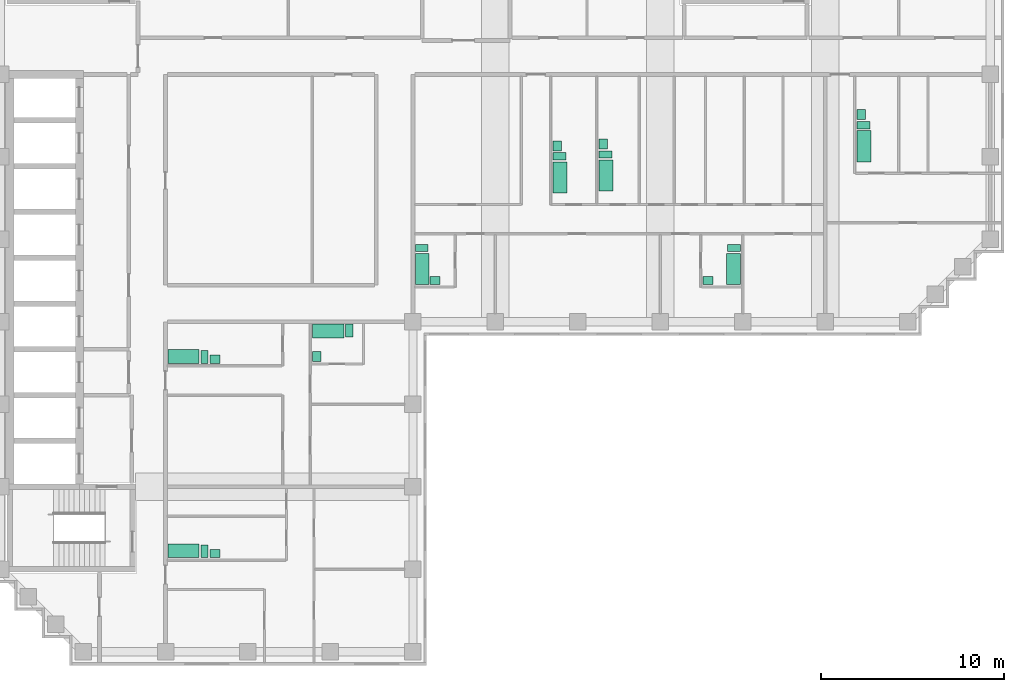
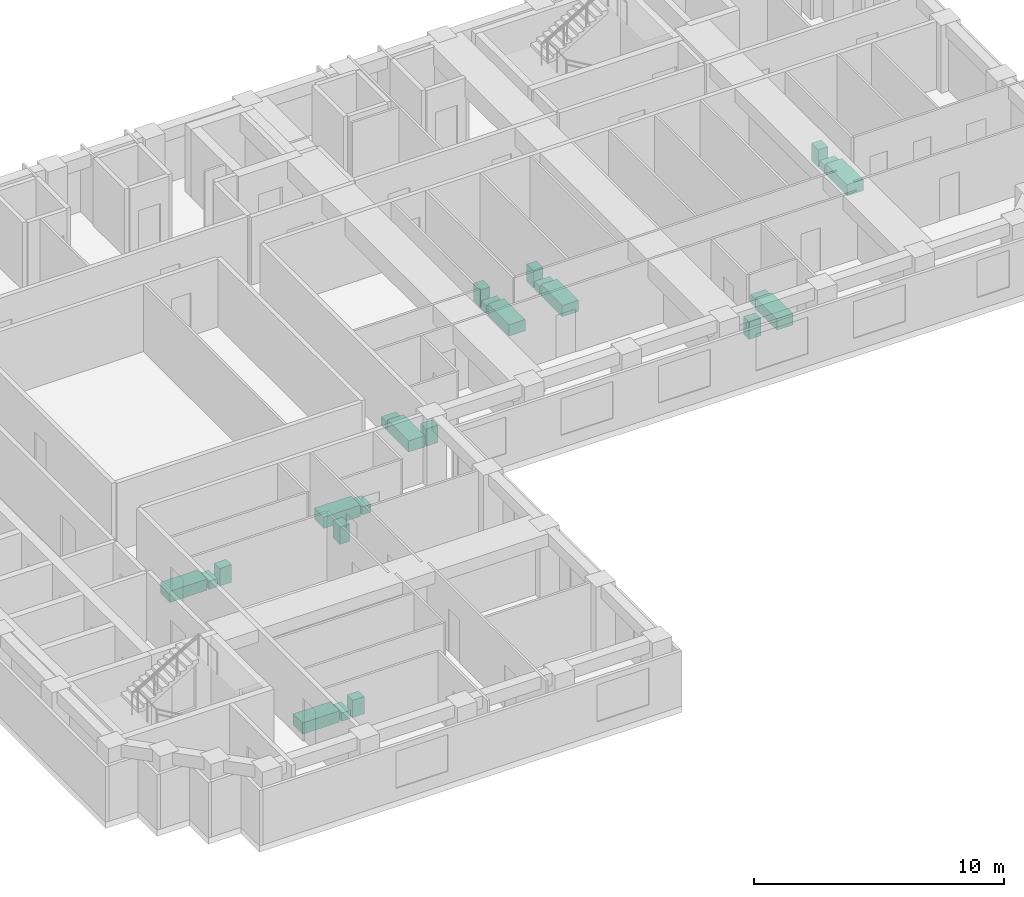
# One storey, part 9 of 9: 24 sanitary terminals.
"""IFC4 building model written with IfcOpenShell, lengths in metres."""

from ifc_helpers import new_model, si_unit, direction, frame, origin, origin_2d, place, context, subcontext, project, spatial, rectangle, extrude, material, type_object, element, save


model = new_model("IFC4")

# Units and contexts
model_context = context("Model", 3, precision=1e-05, world=origin(), true_north=direction((0.0, 1.0)))
body_context = subcontext(model_context, "Body", "Model", "MODEL_VIEW")
ifc_project = project(units=[si_unit("LENGTHUNIT", "METRE"), si_unit("AREAUNIT", "SQUARE_METRE"), si_unit("VOLUMEUNIT", "CUBIC_METRE"), si_unit("PLANEANGLEUNIT", "RADIAN"), si_unit("MASSUNIT", "GRAM", prefix="KILO")], contexts=[model_context])

# Site, building, storey
site_placement = place(None, origin())
site = spatial("IfcSite", under=ifc_project, at=site_placement, CompositionType="ELEMENT")
building_placement = place(site_placement, origin())
building = spatial("IfcBuilding", under=site, at=building_placement, Name="Firuza Court", CompositionType="ELEMENT")
storey_placement = place(building_placement, frame((0.0, 0.0, 225.800048828125)))
storey = spatial("IfcBuildingStorey", under=building, at=storey_placement, Name="L58", CompositionType="ELEMENT", Elevation=225.800048828125)

# Sanitary terminals
ifc_material_1 = material(Name="Vitreous china", Category="ceramic")
sanitary_terminal_type_1 = type_object("IfcSanitaryTerminalType", Name="Fixture Bath", PredefinedType="BATH", material=ifc_material_1)
for number, where, z_axis, x_axis, name in (
    (1, (30.5205078125, 43.8798828125, 0.0), (0.0, 0.0, 1.0), (1.0, 0.0, 0.0), "Bath"),
    (2, (33.03271484375, 43.97998046875, 0.0), (0.0, 0.0, 1.0), (1.0, 0.0, 0.0), "Bath"),
    (3, (23.0048828125, 38.8798828125, 0.0), (0.0, 0.0, 1.0), (1.0, 0.0, 0.0), "Bath"),
    (4, (39.9951171875, 38.8798828125, 0.0), (0.0, 0.0, 1.0), (1.0, 0.0, 0.0), "Bath"),
    (5, (47.10498046875, 45.580078125, 0.0), (0.0, 0.0, 1.0), (1.0, 0.0, 0.0), "Bath"),
):
    element("IfcSanitaryTerminal", number, at=place(storey_placement, frame(where, z_axis=z_axis, x_axis=x_axis)), inside=storey, type_object=sanitary_terminal_type_1, Name=name, PredefinedType="BATH", context=body_context, shape_type="SweptSolid", body=[
        extrude(rectangle(XDim=0.75, YDim=1.699951171875, at=origin_2d()), origin(), (0.0, 0.0, 1.0), 0.550048828125),
    ])
for number, where, z_axis, x_axis, name in (
    (6, (9.97998046875, 34.10498046875, 0.0), (0.0, 0.0, 1.0), (1.0, 0.0, 0.0), "Bath"),
    (7, (17.8798828125, 35.4951171875, 0.0), (0.0, 0.0, 1.0), (1.0, 0.0, 0.0), "Bath"),
    (8, (9.97998046875, 23.5048828125, 0.0), (0.0, 0.0, 1.0), (1.0, 0.0, 0.0), "Bath"),
):
    element("IfcSanitaryTerminal", number, at=place(storey_placement, frame(where, z_axis=z_axis, x_axis=x_axis)), inside=storey, type_object=sanitary_terminal_type_1, Name=name, PredefinedType="BATH", context=body_context, shape_type="SweptSolid", body=[
        extrude(rectangle(XDim=1.699951171875, YDim=0.75, at=origin_2d()), origin(), (0.0, 0.0, 1.0), 0.550048828125),
    ])
ifc_material_2 = material(Name="Vitreous china", Category="ceramic")
sanitary_terminal_type_2 = type_object("IfcSanitaryTerminalType", Name="Fixture WC pan", PredefinedType="TOILETPAN", material=ifc_material_2)
for number, where, z_axis, x_axis, name in (
    (9, (30.49560546875, 45.030029296875, 0.0), (0.0, 0.0, 1.0), (1.0, 0.0, 0.0), "WC pan"),
    (10, (33.007568359375, 45.1298828125, 0.0), (0.0, 0.0, 1.0), (1.0, 0.0, 0.0), "WC pan"),
    (11, (22.97998046875, 40.030029296875, 0.0), (0.0, 0.0, 1.0), (1.0, 0.0, 0.0), "WC pan"),
    (12, (40.02001953125, 40.030029296875, 0.0), (0.0, 0.0, 1.0), (1.0, 0.0, 0.0), "WC pan"),
    (13, (47.080078125, 46.72998046875, 0.0), (0.0, 0.0, 1.0), (1.0, 0.0, 0.0), "WC pan"),
):
    element("IfcSanitaryTerminal", number, at=place(storey_placement, frame(where, z_axis=z_axis, x_axis=x_axis)), inside=storey, type_object=sanitary_terminal_type_2, Name=name, PredefinedType="TOILETPAN", context=body_context, shape_type="SweptSolid", body=[
        extrude(rectangle(XDim=0.699951171875, YDim=0.39990234375, at=origin_2d()), origin(), (0.0, 0.0, 1.0), 0.39990234375),
    ])
for number, where, z_axis, x_axis, name in (
    (14, (11.1298828125, 34.080078125, 0.0), (0.0, 0.0, 1.0), (1.0, 0.0, 0.0), "WC pan"),
    (15, (19.030029296875, 35.52001953125, 0.0), (0.0, 0.0, 1.0), (1.0, 0.0, 0.0), "WC pan"),
    (16, (11.1298828125, 23.47998046875, 0.0), (0.0, 0.0, 1.0), (1.0, 0.0, 0.0), "WC pan"),
):
    element("IfcSanitaryTerminal", number, at=place(storey_placement, frame(where, z_axis=z_axis, x_axis=x_axis)), inside=storey, type_object=sanitary_terminal_type_2, Name=name, PredefinedType="TOILETPAN", context=body_context, shape_type="SweptSolid", body=[
        extrude(rectangle(XDim=0.39990234375, YDim=0.699951171875, at=origin_2d()), origin(), (0.0, 0.0, 1.0), 0.39990234375),
    ])
ifc_material_3 = material(Name="Vitreous china", Category="ceramic")
sanitary_terminal_type_3 = type_object("IfcSanitaryTerminalType", Name="Fixture Washbasin", PredefinedType="WASHHANDBASIN", material=ifc_material_3)
for number, where, z_axis, x_axis, name in (
    (17, (30.37060546875, 45.60498046875, 0.0), (0.0, 0.0, 1.0), (1.0, 0.0, 0.0), "Washbasin"),
    (18, (32.882568359375, 45.705078125, 0.0), (0.0, 0.0, 1.0), (1.0, 0.0, 0.0), "Washbasin"),
):
    element("IfcSanitaryTerminal", number, at=place(storey_placement, frame(where, z_axis=z_axis, x_axis=x_axis)), inside=storey, type_object=sanitary_terminal_type_3, Name=name, PredefinedType="WASHHANDBASIN", context=body_context, shape_type="SweptSolid", body=[
        extrude(rectangle(XDim=0.449951171875, YDim=0.550048828125, at=origin_2d()), origin(), (0.0, 0.0, 1.0), 0.85009765625),
    ])
for number, where, z_axis, x_axis, name in (
    (19, (23.705078125, 38.2548828125, 0.0), (0.0, 0.0, 1.0), (1.0, 0.0, 0.0), "Washbasin"),
    (20, (38.60498046875, 38.2548828125, 0.0), (0.0, 0.0, 1.0), (1.0, 0.0, 0.0), "Washbasin"),
):
    element("IfcSanitaryTerminal", number, at=place(storey_placement, frame(where, z_axis=z_axis, x_axis=x_axis)), inside=storey, type_object=sanitary_terminal_type_3, Name=name, PredefinedType="WASHHANDBASIN", context=body_context, shape_type="SweptSolid", body=[
        extrude(rectangle(XDim=0.550048828125, YDim=0.449951171875, at=origin_2d()), origin(), (0.0, 0.0, 1.0), 0.85009765625),
    ])
sanitary_terminal_1_placement = place(storey_placement, frame((46.955078125, 47.304931640625, 0.0), z_axis=(0.0, 0.0, 1.0), x_axis=(1.0, 0.0, 0.0)))
element("IfcSanitaryTerminal", 21, at=sanitary_terminal_1_placement, inside=storey, type_object=sanitary_terminal_type_3, Name="Washbasin", PredefinedType="WASHHANDBASIN", context=body_context, shape_type="SweptSolid", body=[
    extrude(rectangle(XDim=0.449951171875, YDim=0.550048828125, at=origin_2d()), origin(), (0.0, 0.0, 1.0), 0.85009765625),
])
sanitary_terminal_2_placement = place(storey_placement, frame((11.705078125, 33.955078125, 0.0), z_axis=(0.0, 0.0, 1.0), x_axis=(1.0, 0.0, 0.0)))
element("IfcSanitaryTerminal", 22, at=sanitary_terminal_2_placement, inside=storey, type_object=sanitary_terminal_type_3, Name="Washbasin", PredefinedType="WASHHANDBASIN", context=body_context, shape_type="SweptSolid", body=[
    extrude(rectangle(XDim=0.550048828125, YDim=0.449951171875, at=origin_2d()), origin(), (0.0, 0.0, 1.0), 0.85009765625),
])
sanitary_terminal_3_placement = place(storey_placement, frame((17.2548828125, 34.10498046875, 0.0), z_axis=(0.0, 0.0, 1.0), x_axis=(1.0, 0.0, 0.0)))
element("IfcSanitaryTerminal", 23, at=sanitary_terminal_3_placement, inside=storey, type_object=sanitary_terminal_type_3, Name="Washbasin", PredefinedType="WASHHANDBASIN", context=body_context, shape_type="SweptSolid", body=[
    extrude(rectangle(XDim=0.449951171875, YDim=0.550048828125, at=origin_2d()), origin(), (0.0, 0.0, 1.0), 0.85009765625),
])
sanitary_terminal_4_placement = place(storey_placement, frame((11.705078125, 23.35498046875, 0.0), z_axis=(0.0, 0.0, 1.0), x_axis=(1.0, 0.0, 0.0)))
element("IfcSanitaryTerminal", 24, at=sanitary_terminal_4_placement, inside=storey, type_object=sanitary_terminal_type_3, Name="Washbasin", PredefinedType="WASHHANDBASIN", context=body_context, shape_type="SweptSolid", body=[
    extrude(rectangle(XDim=0.550048828125, YDim=0.449951171875, at=origin_2d()), origin(), (0.0, 0.0, 1.0), 0.85009765625),
])

save(model, "model.ifc")
